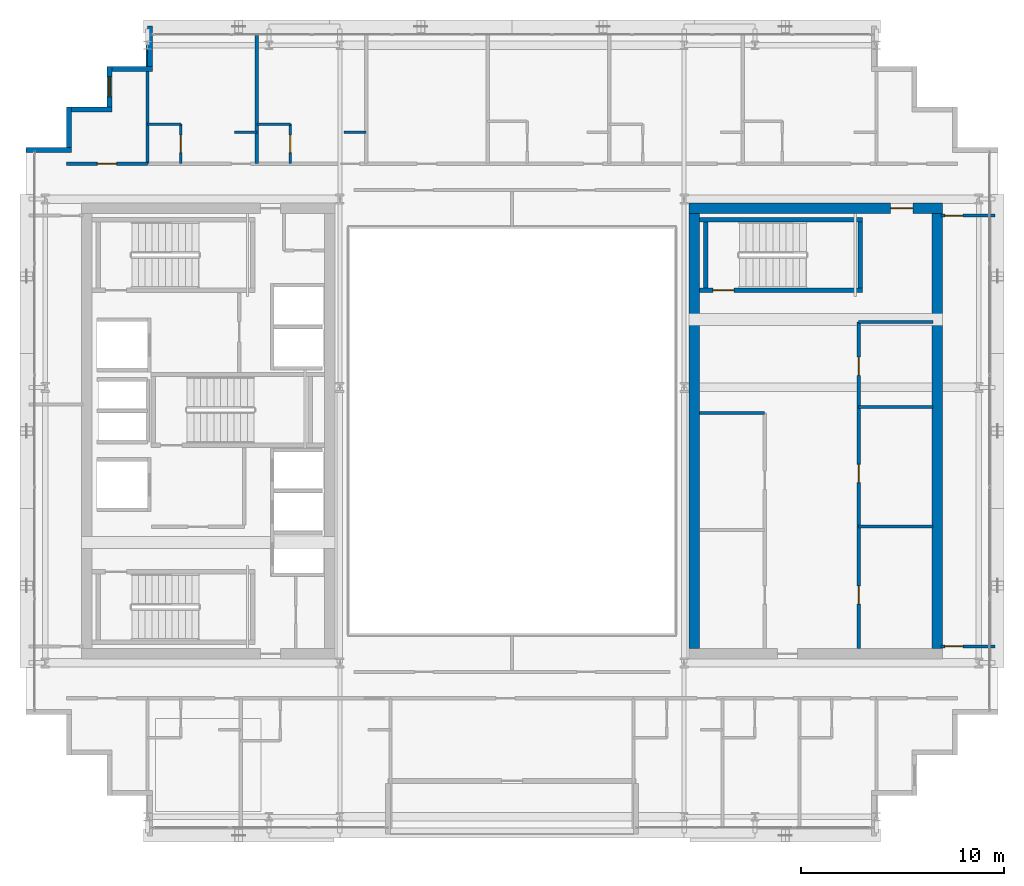
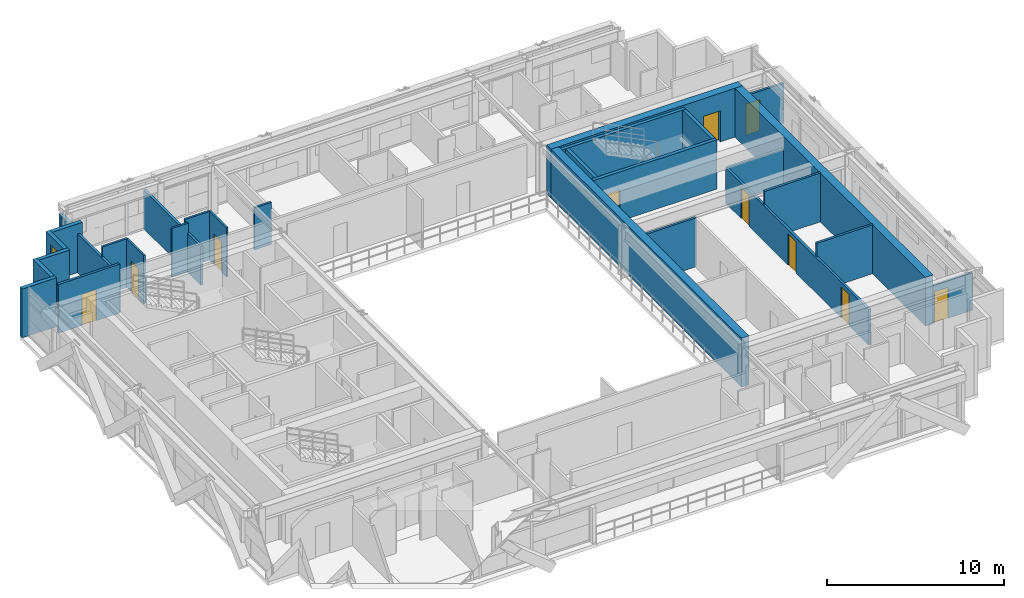
# One storey, part 26 of 31: 29 walls, 10 doors, 1 window, 11 openings.
"""IFC4 building model written with IfcOpenShell, lengths in metres."""

from ifc_helpers import new_model, si_unit, direction, frame, frame_2d, origin, place, context, subcontext, project, spatial, rectangle, extrude, source, transform, mapped, material, layer, layer_set, type_object, element, fill, save


model = new_model("IFC4")

# Units and contexts
model_context = context("Model", 3, precision=1e-05, world=origin(), true_north=direction((0.0, 1.0)))
body_context = subcontext(model_context, "Body", "Model", "MODEL_VIEW")
ifc_project = project(units=[si_unit("LENGTHUNIT", "METRE"), si_unit("AREAUNIT", "SQUARE_METRE"), si_unit("VOLUMEUNIT", "CUBIC_METRE"), si_unit("PLANEANGLEUNIT", "RADIAN"), si_unit("MASSUNIT", "GRAM", prefix="KILO")], contexts=[model_context])

# Site, building, storey
site_placement = place(None, origin())
site = spatial("IfcSite", under=ifc_project, at=site_placement, CompositionType="ELEMENT")
building_placement = place(site_placement, origin())
building = spatial("IfcBuilding", under=site, at=building_placement, Name="Ocotamira Hotel", CompositionType="ELEMENT")
storey_placement = place(building_placement, frame((0.0, 0.0, 210.0)))
storey = spatial("IfcBuildingStorey", under=building, at=storey_placement, Name="L53", CompositionType="ELEMENT", Elevation=210.0)

# Wall, opening, door
ifc_material_1 = material(Name="Concrete C50/60", Category="concrete")
ifc_layer_1 = layer(ifc_material_1, 0.5)
ifc_layer_set_1 = layer_set([ifc_layer_1], Name="Concrete C50/60")
wall_type_1 = type_object("IfcWallType", Name="WL-CORE-500", PredefinedType="SHEAR", material=ifc_layer_set_1)
wall_1_placement = place(storey_placement, frame((40.75, 37.0, 0.0), z_axis=(0.0, 0.0, 1.0), x_axis=(1.0, 0.0, 0.0)))
wall_1 = element("IfcWall", 1, at=wall_1_placement, inside=storey, type_object=wall_type_1, Name="L53 Shear Core Wall ECORE-N", PredefinedType="SHEAR", context=body_context, shape_type="SweptSolid", body=[
    extrude(rectangle(XDim=12.5, YDim=0.5, at=frame_2d((6.25, 0.0))), origin(), (0.0, 0.0, 1.0), 3.3701171875),
])
opening_1_placement = place(wall_1_placement, frame((9.949951171875, 0.0, 0.0)))
opening_1 = element("IfcOpeningElement", 2, at=opening_1_placement, cuts=wall_1, Name="Opening D-FR1", PredefinedType="OPENING", context=body_context, shape_type="SweptSolid", body=[
    extrude(rectangle(XDim=1.10009765625, YDim=2.14990234375, at=frame_2d((0.550048828125, 1.074951171875))), frame((0.0, 0.260009765625, 0.0), z_axis=(0.0, -1.0, 0.0), x_axis=(1.0, 0.0, 0.0)), (0.0, 0.0, 1.0), 0.52001953125),
])
ifc_material_2 = material(Name="Fire-rated acoustic timber-veneer door", Category="wood")
door_type_1 = type_object("IfcDoorType", Name="DR-FIRE-1100", OperationType="NOTDEFINED", PredefinedType="DOOR", material=ifc_material_2)
shared_shape_1 = source(origin(), body_context, "Body", "SweptSolid", [
    extrude(rectangle(XDim=1.10009765625, YDim=2.14990234375, at=frame_2d((0.550048828125, 1.074951171875))), frame((0.0, 0.02490234375, 0.0), z_axis=(0.0, -1.0, 0.0), x_axis=(1.0, 0.0, 0.0)), (0.0, 0.0, 1.0), 0.050048828125),
])
door_1_placement = place(opening_1_placement, origin())
door_1 = element("IfcDoor", 3, at=door_1_placement, inside=storey, type_object=door_type_1, Name="L53 Door ID-L53-ELOB-N-D [ID-L53-ELOB-N-D]", OperationType="SINGLE_SWING_LEFT", OverallHeight=2.14990234375, OverallWidth=1.10009765625, PredefinedType="DOOR", context=body_context, shape_type="MappedRepresentation", body=[
    mapped(shared_shape_1, transform((0.0, 0.0, 0.0), scale=1.0)),
])
fill(opening_1, door_1)

# Walls
for number, where, z_axis, x_axis, name in (
    (4, (41.0, 15.25, 0.0), (0.0, 0.0, 1.0), (0.0, 1.0, 0.0), "L53 Shear Core Wall ECORE-W"),
    (5, (53.0, 15.25, 0.0), (0.0, 0.0, 1.0), (0.0, 1.0, 0.0), "L53 Shear Core Wall ECORE-E"),
):
    element("IfcWall", number, at=place(storey_placement, frame(where, z_axis=z_axis, x_axis=x_axis)), inside=storey, type_object=wall_type_1, Name=name, PredefinedType="SHEAR", context=body_context, shape_type="SweptSolid", body=[
        extrude(rectangle(XDim=21.5, YDim=0.5, at=frame_2d((10.75, 0.0))), origin(), (0.0, 0.0, 1.0), 3.3701171875),
    ])
ifc_material_3 = material(Name="Precast concrete C45/55", Category="concrete")
ifc_layer_2 = layer(ifc_material_3, 0.25)
ifc_layer_set_2 = layer_set([ifc_layer_2], Name="Precast concrete C45/55")
wall_type_2 = type_object("IfcWallType", Name="WL-EXT-SER-250", PredefinedType="SOLIDWALL", material=ifc_layer_set_2)
wall_2_placement = place(storey_placement, frame((14.125, 46.0, 0.0), z_axis=(0.0, 0.0, 1.0), x_axis=(0.0, -1.0, 0.0)))
element("IfcWall", 6, at=wall_2_placement, inside=storey, type_object=wall_type_2, Name="L53 Serrated Corner Wall 13", PredefinedType="SOLIDWALL", context=body_context, shape_type="SweptSolid", body=[
    extrude(rectangle(XDim=2.0, YDim=0.25, at=frame_2d((1.0, 0.0))), origin(), (0.0, 0.0, 1.0), 2.677001953125),
])
wall_3_placement = place(storey_placement, frame((14.25, 43.875, 0.0), z_axis=(0.0, 0.0, 1.0), x_axis=(-1.0, 0.0, 0.0)))
element("IfcWall", 7, at=wall_3_placement, inside=storey, type_object=wall_type_2, Name="L53 Serrated Corner Wall 14", PredefinedType="SOLIDWALL", context=body_context, shape_type="SweptSolid", body=[
    extrude(rectangle(XDim=2.0, YDim=0.25, at=frame_2d((1.0, 0.0))), origin(), (0.0, 0.0, 1.0), 3.3701171875),
])

# Wall, opening, window
wall_4_placement = place(storey_placement, frame((12.125, 44.0, 0.0), z_axis=(0.0, 0.0, 1.0), x_axis=(0.0, -1.0, 0.0)))
wall_4 = element("IfcWall", 8, at=wall_4_placement, inside=storey, type_object=wall_type_2, Name="L53 Serrated Corner Wall 15", PredefinedType="SOLIDWALL", context=body_context, shape_type="SweptSolid", body=[
    extrude(rectangle(XDim=2.0, YDim=0.25, at=frame_2d((1.0, 0.0))), origin(), (0.0, 0.0, 1.0), 3.3701171875),
])
opening_2_placement = place(wall_4_placement, frame((0.5, 0.0, 0.85009765625)))
opening_2 = element("IfcOpeningElement", 9, at=opening_2_placement, cuts=wall_4, Name="Opening WN-2", PredefinedType="OPENING", context=body_context, shape_type="SweptSolid", body=[
    extrude(rectangle(XDim=1.0, YDim=1.89990234375, at=frame_2d((0.5, 0.949951171875))), frame((0.0, 0.135009765625, 0.0), z_axis=(0.0, -1.0, 0.0), x_axis=(1.0, 0.0, 0.0)), (0.0, 0.0, 1.0), 0.27001953125),
])
ifc_material_4 = material(Name="Double-silver low-E solar glass", Category="glass")
window_type = type_object("IfcWindowType", Name="WIN-SER-1100", PartitioningType="SINGLE_PANEL", PredefinedType="WINDOW", material=ifc_material_4)
shared_shape_2 = source(origin(), body_context, "Body", "SweptSolid", [
    extrude(rectangle(XDim=1.0, YDim=1.89990234375, at=frame_2d((0.5, 0.949951171875))), frame((0.0, 0.030029296875, 0.0), z_axis=(0.0, -1.0, 0.0), x_axis=(1.0, 0.0, 0.0)), (0.0, 0.0, 1.0), 0.06005859375),
])
window_placement = place(opening_2_placement, origin())
window = element("IfcWindow", 10, at=window_placement, inside=storey, type_object=window_type, Name="L53 Serrated Corner Window 15", OverallHeight=1.89990234375, OverallWidth=1.0, PartitioningType="SINGLE_PANEL", PredefinedType="WINDOW", context=body_context, shape_type="MappedRepresentation", body=[
    mapped(shared_shape_2, transform((0.0, 0.0, 0.0), scale=1.0)),
])
fill(opening_2, window)

# Walls
for number, where, z_axis, x_axis, name in (
    (11, (12.25, 41.875, 0.0), (0.0, 0.0, 1.0), (-1.0, 0.0, 0.0), "L53 Serrated Corner Wall 16"),
    (12, (10.125, 42.0, 0.0), (0.0, 0.0, 1.0), (0.0, -1.0, 0.0), "L53 Serrated Corner Wall 17"),
):
    element("IfcWall", number, at=place(storey_placement, frame(where, z_axis=z_axis, x_axis=x_axis)), inside=storey, type_object=wall_type_2, Name=name, PredefinedType="SOLIDWALL", context=body_context, shape_type="SweptSolid", body=[
        extrude(rectangle(XDim=2.0, YDim=0.25, at=frame_2d((1.0, 0.0))), origin(), (0.0, 0.0, 1.0), 3.3701171875),
    ])
wall_5_placement = place(storey_placement, frame((10.25, 39.875, 0.0), z_axis=(0.0, 0.0, 1.0), x_axis=(-1.0, 0.0, 0.0)))
element("IfcWall", 13, at=wall_5_placement, inside=storey, type_object=wall_type_2, Name="L53 Serrated Corner Wall 18", PredefinedType="SOLIDWALL", context=body_context, shape_type="SweptSolid", body=[
    extrude(rectangle(XDim=2.25, YDim=0.25, at=frame_2d((1.125, 0.0))), origin(), (0.0, 0.0, 1.0), 3.3701171875),
])
ifc_material_5 = material(Name="Acoustic double-layer fire gypsum board partition", Category="gypsum")
ifc_layer_3 = layer(ifc_material_5, 0.159912109375)
ifc_layer_set_3 = layer_set([ifc_layer_3], Name="Acoustic double-layer fire gypsum board partition")
wall_type_3 = type_object("IfcWallType", Name="WL-FIRE-160", PredefinedType="PARTITIONING", material=ifc_layer_set_3)
wall_6_placement = place(storey_placement, frame((49.1201171875, 31.3798828125, 0.0), z_axis=(0.0, 0.0, 1.0), x_axis=(1.0, 0.0, 0.0)))
element("IfcWall", 14, at=wall_6_placement, inside=storey, type_object=wall_type_3, Name="L53 Interior Wall PW-L53-EC-FLOW-N", PredefinedType="PARTITIONING", context=body_context, shape_type="SweptSolid", body=[
    extrude(rectangle(XDim=3.679931640625, YDim=0.159912109375, at=frame_2d((1.83984375, 0.0))), origin(), (0.0, 0.0, 1.0), 2.469970703125),
])

# Wall, openings, doors
wall_7_placement = place(storey_placement, frame((49.1201171875, 15.25, 0.0), z_axis=(0.0, 0.0, 1.0), x_axis=(0.0, 1.0, 0.0)))
wall_7 = element("IfcWall", 15, at=wall_7_placement, inside=storey, type_object=wall_type_3, Name="L53 Interior Wall PW-L53-EC-FLOW-W", PredefinedType="PARTITIONING", context=body_context, shape_type="SweptSolid", body=[
    extrude(rectangle(XDim=16.1298828125, YDim=0.159912109375, at=frame_2d((8.06494140625, 0.0))), origin(), (0.0, 0.0, 1.0), 2.443115234375),
])
opening_3_placement = place(wall_7_placement, frame((2.199951171875, 0.0, 0.0)))
opening_3 = element("IfcOpeningElement", 16, at=opening_3_placement, cuts=wall_7, Name="Opening D-IN3", PredefinedType="OPENING", context=body_context, shape_type="SweptSolid", body=[
    extrude(rectangle(XDim=0.89990234375, YDim=2.14990234375, at=frame_2d((0.449951171875, 1.074951171875))), frame((0.0, 0.08984375, 0.0), z_axis=(0.0, -1.0, 0.0), x_axis=(1.0, 0.0, 0.0)), (0.0, 0.0, 1.0), 0.179931640625),
])
opening_4_placement = place(wall_7_placement, frame((8.199951171875, 0.0, 0.0)))
opening_4 = element("IfcOpeningElement", 17, at=opening_4_placement, cuts=wall_7, Name="Opening D-IN3", PredefinedType="OPENING", context=body_context, shape_type="SweptSolid", body=[
    extrude(rectangle(XDim=0.89990234375, YDim=2.14990234375, at=frame_2d((0.449951171875, 1.074951171875))), frame((0.0, 0.08984375, 0.0), z_axis=(0.0, -1.0, 0.0), x_axis=(1.0, 0.0, 0.0)), (0.0, 0.0, 1.0), 0.179931640625),
])
opening_5_placement = place(wall_7_placement, frame((13.5, 0.0, 0.0)))
opening_5 = element("IfcOpeningElement", 18, at=opening_5_placement, cuts=wall_7, Name="Opening D-IN3", PredefinedType="OPENING", context=body_context, shape_type="SweptSolid", body=[
    extrude(rectangle(XDim=0.89990234375, YDim=2.14990234375, at=frame_2d((0.449951171875, 1.074951171875))), frame((0.0, 0.08984375, 0.0), z_axis=(0.0, -1.0, 0.0), x_axis=(1.0, 0.0, 0.0)), (0.0, 0.0, 1.0), 0.179931640625),
])
ifc_material_6 = material(Name="Painted service room door", Category="steel")
door_type_2 = type_object("IfcDoorType", Name="DR-INT-900", OperationType="NOTDEFINED", PredefinedType="DOOR", material=ifc_material_6)
shared_shape_3 = source(origin(), body_context, "Body", "SweptSolid", [
    extrude(rectangle(XDim=0.89990234375, YDim=2.14990234375, at=frame_2d((0.449951171875, 1.074951171875))), frame((0.0, 0.02490234375, 0.0), z_axis=(0.0, -1.0, 0.0), x_axis=(1.0, 0.0, 0.0)), (0.0, 0.0, 1.0), 0.050048828125),
])
door_2_placement = place(opening_3_placement, origin())
door_2 = element("IfcDoor", 19, at=door_2_placement, inside=storey, type_object=door_type_2, Name="L53 Door ID-L53-EC-FLOW-D1 [ID-L53-EC-FLOW-D1]", OperationType="SINGLE_SWING_LEFT", OverallHeight=2.14990234375, OverallWidth=0.89990234375, PredefinedType="DOOR", context=body_context, shape_type="MappedRepresentation", body=[
    mapped(shared_shape_3, transform((0.0, 0.0, 0.0), scale=1.0)),
])
fill(opening_3, door_2)
door_3_placement = place(opening_4_placement, origin())
door_3 = element("IfcDoor", 20, at=door_3_placement, inside=storey, type_object=door_type_2, Name="L53 Door ID-L53-EC-FLOW-D2 [ID-L53-EC-FLOW-D2]", OperationType="SINGLE_SWING_RIGHT", OverallHeight=2.14990234375, OverallWidth=0.89990234375, PredefinedType="DOOR", context=body_context, shape_type="MappedRepresentation", body=[
    mapped(shared_shape_3, transform((0.0, 0.0, 0.0), scale=1.0)),
])
fill(opening_4, door_3)
door_4_placement = place(opening_5_placement, origin())
door_4 = element("IfcDoor", 21, at=door_4_placement, inside=storey, type_object=door_type_2, Name="L53 Door ID-L53-EC-FLOW-D3 [ID-L53-EC-FLOW-D3]", OperationType="SINGLE_SWING_LEFT", OverallHeight=2.14990234375, OverallWidth=0.89990234375, PredefinedType="DOOR", context=body_context, shape_type="MappedRepresentation", body=[
    mapped(shared_shape_3, transform((0.0, 0.0, 0.0), scale=1.0)),
])
fill(opening_5, door_4)

# Wall, opening, door
wall_8_placement = place(storey_placement, frame((10.0, 39.199951171875, 0.0), z_axis=(0.0, 0.0, 1.0), x_axis=(1.0, 0.0, 0.0)))
wall_8 = element("IfcWall", 22, at=wall_8_placement, inside=storey, type_object=wall_type_3, Name="L53 Interior Wall PW-L53-Z3E-CNW-CW", PredefinedType="PARTITIONING", context=body_context, shape_type="SweptSolid", body=[
    extrude(rectangle(XDim=4.0, YDim=0.159912109375, at=frame_2d((2.0, 0.0))), origin(), (0.0, 0.0, 1.0), 3.3701171875),
])
opening_6_placement = place(wall_8_placement, frame((1.52001953125, 0.0, 0.0)))
opening_6 = element("IfcOpeningElement", 23, at=opening_6_placement, cuts=wall_8, Name="Opening D-SV4", PredefinedType="OPENING", context=body_context, shape_type="SweptSolid", body=[
    extrude(rectangle(XDim=0.9599609375, YDim=2.14990234375, at=frame_2d((0.47998046875, 1.074951171875))), frame((0.0, 0.08984375, 0.0), z_axis=(0.0, -1.0, 0.0), x_axis=(1.0, 0.0, 0.0)), (0.0, 0.0, 1.0), 0.179931640625),
])
ifc_material_7 = material(Name="Fire-rated accessible walnut salon door", Category="wood")
door_type_3 = type_object("IfcDoorType", Name="DR-SERV-960", OperationType="NOTDEFINED", PredefinedType="DOOR", material=ifc_material_7)
shared_shape_4 = source(origin(), body_context, "Body", "SweptSolid", [
    extrude(rectangle(XDim=0.9599609375, YDim=2.14990234375, at=frame_2d((0.47998046875, 1.074951171875))), frame((0.0, 0.02490234375, 0.0), z_axis=(0.0, -1.0, 0.0), x_axis=(1.0, 0.0, 0.0)), (0.0, 0.0, 1.0), 0.050048828125),
])
door_5_placement = place(opening_6_placement, origin())
door_5 = element("IfcDoor", 24, at=door_5_placement, inside=storey, type_object=door_type_3, Name="L53 Door ID-L53-Z3E-CNW-CD [ID-L53-Z3E-CNW-CD]", OperationType="SINGLE_SWING_LEFT", OverallHeight=2.14990234375, OverallWidth=0.9599609375, PredefinedType="DOOR", context=body_context, shape_type="MappedRepresentation", body=[
    mapped(shared_shape_4, transform((0.0, 0.0, 0.0), scale=1.0)),
])
fill(opening_6, door_5)

ifc_material_8 = material(Name="Moisture-resistant en-suite tile and gypsum partition", Category="gypsum")
ifc_layer_4 = layer(ifc_material_8, 0.1201171875)
ifc_layer_set_4 = layer_set([ifc_layer_4], Name="Moisture-resistant en-suite tile and gypsum partition")
wall_type_4 = type_object("IfcWallType", Name="WL-PART-120", PredefinedType="PARTITIONING", material=ifc_layer_set_4)
wall_9_placement = place(storey_placement, frame((15.64990234375, 39.199951171875, 0.0), z_axis=(0.0, 0.0, 1.0), x_axis=(0.0, 1.0, 0.0)))
wall_9 = element("IfcWall", 25, at=wall_9_placement, inside=storey, type_object=wall_type_4, Name="L53 Interior Wall PW-L53-Z3EN-BAE1", PredefinedType="PARTITIONING", context=body_context, shape_type="SweptSolid", body=[
    extrude(rectangle(XDim=1.949951171875, YDim=0.1201171875, at=frame_2d((0.97509765625, 0.0))), origin(), (0.0, 0.0, 1.0), 3.3701171875),
])
opening_7_placement = place(wall_9_placement, frame((0.544921875, 0.0, 0.0)))
opening_7 = element("IfcOpeningElement", 26, at=opening_7_placement, cuts=wall_9, Name="Opening D-BA1", PredefinedType="OPENING", context=body_context, shape_type="SweptSolid", body=[
    extrude(rectangle(XDim=0.860107421875, YDim=2.10009765625, at=frame_2d((0.43017578125, 1.050048828125))), frame((0.0, 0.070068359375, 0.0), z_axis=(0.0, -1.0, 0.0), x_axis=(1.0, 0.0, 0.0)), (0.0, 0.0, 1.0), 0.14013671875),
])
ifc_material_9 = material(Name="Moisture-sealed en-suite timber door", Category="wood")
door_type_4 = type_object("IfcDoorType", Name="DR-BATH-860", OperationType="NOTDEFINED", PredefinedType="DOOR", material=ifc_material_9)
shared_shape_5 = source(origin(), body_context, "Body", "SweptSolid", [
    extrude(rectangle(XDim=0.860107421875, YDim=2.10009765625, at=frame_2d((0.43017578125, 1.050048828125))), frame((0.0, 0.02490234375, 0.0), z_axis=(0.0, -1.0, 0.0), x_axis=(1.0, 0.0, 0.0)), (0.0, 0.0, 1.0), 0.050048828125),
])
door_6_placement = place(opening_7_placement, origin())
door_6 = element("IfcDoor", 27, at=door_6_placement, inside=storey, type_object=door_type_4, Name="L53 Door ID-L53-Z3EN-BAD1 [ID-L53-Z3EN-BAD1]", OperationType="SINGLE_SWING_RIGHT", OverallHeight=2.10009765625, OverallWidth=0.860107421875, PredefinedType="DOOR", context=body_context, shape_type="MappedRepresentation", body=[
    mapped(shared_shape_5, transform((0.0, 0.0, 0.0), scale=1.0)),
])
fill(opening_7, door_6)

# Walls
wall_10_placement = place(storey_placement, frame((14.0, 41.14990234375, 0.0), z_axis=(0.0, 0.0, 1.0), x_axis=(1.0, 0.0, 0.0)))
element("IfcWall", 28, at=wall_10_placement, inside=storey, type_object=wall_type_4, Name="L53 Interior Wall PW-L53-Z3EN-BAN1", PredefinedType="PARTITIONING", context=body_context, shape_type="SweptSolid", body=[
    extrude(rectangle(XDim=1.64990234375, YDim=0.1201171875, at=frame_2d((0.824951171875, 0.0))), origin(), (0.0, 0.0, 1.0), 3.3701171875),
])
wall_11_placement = place(storey_placement, frame((18.300048828125, 40.75, 0.0), z_axis=(0.0, 0.0, 1.0), x_axis=(1.0, 0.0, 0.0)))
element("IfcWall", 29, at=wall_11_placement, inside=storey, type_object=wall_type_4, Name="L53 Interior Wall PW-L53-Z3EN-DRN1", PredefinedType="PARTITIONING", context=body_context, shape_type="SweptSolid", body=[
    extrude(rectangle(XDim=1.099853515625, YDim=0.1201171875, at=frame_2d((0.5498046875, 0.0))), origin(), (0.0, 0.0, 1.0), 3.3701171875),
])

# Wall, opening, door
wall_12_placement = place(storey_placement, frame((21.050048828125, 39.199951171875, 0.0), z_axis=(0.0, 0.0, 1.0), x_axis=(0.0, 1.0, 0.0)))
wall_12 = element("IfcWall", 30, at=wall_12_placement, inside=storey, type_object=wall_type_4, Name="L53 Interior Wall PW-L53-Z3EN-BAE2", PredefinedType="PARTITIONING", context=body_context, shape_type="SweptSolid", body=[
    extrude(rectangle(XDim=1.949951171875, YDim=0.1201171875, at=frame_2d((0.97509765625, 0.0))), origin(), (0.0, 0.0, 1.0), 3.3701171875),
])
opening_8_placement = place(wall_12_placement, frame((0.544921875, 0.0, 0.0)))
opening_8 = element("IfcOpeningElement", 31, at=opening_8_placement, cuts=wall_12, Name="Opening D-BA1", PredefinedType="OPENING", context=body_context, shape_type="SweptSolid", body=[
    extrude(rectangle(XDim=0.860107421875, YDim=2.10009765625, at=frame_2d((0.43017578125, 1.050048828125))), frame((0.0, 0.070068359375, 0.0), z_axis=(0.0, -1.0, 0.0), x_axis=(1.0, 0.0, 0.0)), (0.0, 0.0, 1.0), 0.14013671875),
])
door_7_placement = place(opening_8_placement, origin())
door_7 = element("IfcDoor", 32, at=door_7_placement, inside=storey, type_object=door_type_4, Name="L53 Door ID-L53-Z3EN-BAD2 [ID-L53-Z3EN-BAD2]", OperationType="SINGLE_SWING_LEFT", OverallHeight=2.10009765625, OverallWidth=0.860107421875, PredefinedType="DOOR", context=body_context, shape_type="MappedRepresentation", body=[
    mapped(shared_shape_5, transform((0.0, 0.0, 0.0), scale=1.0)),
])
fill(opening_8, door_7)

# Walls
wall_13_placement = place(storey_placement, frame((19.39990234375, 41.14990234375, 0.0), z_axis=(0.0, 0.0, 1.0), x_axis=(1.0, 0.0, 0.0)))
element("IfcWall", 33, at=wall_13_placement, inside=storey, type_object=wall_type_4, Name="L53 Interior Wall PW-L53-Z3EN-BAN2", PredefinedType="PARTITIONING", context=body_context, shape_type="SweptSolid", body=[
    extrude(rectangle(XDim=1.650146484375, YDim=0.1201171875, at=frame_2d((0.8251953125, 0.0))), origin(), (0.0, 0.0, 1.0), 3.3701171875),
])
wall_14_placement = place(storey_placement, frame((23.699951171875, 40.75, 0.0), z_axis=(0.0, 0.0, 1.0), x_axis=(1.0, 0.0, 0.0)))
element("IfcWall", 34, at=wall_14_placement, inside=storey, type_object=wall_type_4, Name="L53 Interior Wall PW-L53-Z3EN-DRN2", PredefinedType="PARTITIONING", context=body_context, shape_type="SweptSolid", body=[
    extrude(rectangle(XDim=1.10009765625, YDim=0.1201171875, at=frame_2d((0.550048828125, 0.0))), origin(), (0.0, 0.0, 1.0), 2.9130859375),
])
ifc_material_10 = material(Name="Acoustic hospitality gypsum board partition", Category="gypsum")
ifc_layer_5 = layer(ifc_material_10, 0.14990234375)
ifc_layer_set_5 = layer_set([ifc_layer_5], Name="Acoustic hospitality gypsum board partition")
wall_type_5 = type_object("IfcWallType", Name="WL-PART-150", PredefinedType="PARTITIONING", material=ifc_layer_set_5)
for number, where, z_axis, x_axis, name in (
    (35, (49.1201171875, 21.2900390625, 0.0), (0.0, 0.0, 1.0), (1.0, 0.0, 0.0), "L53 Interior Wall PW-L53-EC-FDIV1"),
    (36, (49.1201171875, 27.18994140625, 0.0), (0.0, 0.0, 1.0), (1.0, 0.0, 0.0), "L53 Interior Wall PW-L53-EC-FDIV2"),
):
    element("IfcWall", number, at=place(storey_placement, frame(where, z_axis=z_axis, x_axis=x_axis)), inside=storey, type_object=wall_type_5, Name=name, PredefinedType="PARTITIONING", context=body_context, shape_type="SweptSolid", body=[
        extrude(rectangle(XDim=3.679931640625, YDim=0.14990234375, at=frame_2d((1.83984375, 0.0))), origin(), (0.0, 0.0, 1.0), 3.3701171875),
    ])
wall_15_placement = place(storey_placement, frame((41.25, 26.8798828125, 0.0), z_axis=(0.0, 0.0, 1.0), x_axis=(1.0, 0.0, 0.0)))
element("IfcWall", 37, at=wall_15_placement, inside=storey, type_object=wall_type_5, Name="L53 Interior Wall PW-L53-EC-FMID-N", PredefinedType="PARTITIONING", context=body_context, shape_type="SweptSolid", body=[
    extrude(rectangle(XDim=3.22998046875, YDim=0.14990234375, at=frame_2d((1.614990234375, 0.0))), origin(), (0.0, 0.0, 1.0), 3.3701171875),
])

# Wall, opening, door
wall_16_placement = place(storey_placement, frame((53.179931640625, 15.360107421875, 0.0), z_axis=(0.0, 0.0, 1.0), x_axis=(1.0, 0.0, 0.0)))
wall_16 = element("IfcWall", 38, at=wall_16_placement, inside=storey, type_object=wall_type_5, Name="L53 Interior Wall PW-L53-Z3E-EF-WS", PredefinedType="PARTITIONING", context=body_context, shape_type="SweptSolid", body=[
    extrude(rectangle(XDim=2.66015625, YDim=0.14990234375, at=frame_2d((1.330078125, 0.0))), origin(), (0.0, 0.0, 1.0), 2.591064453125),
])
opening_9_placement = place(wall_16_placement, frame((0.199951171875, 0.0, 0.0)))
opening_9 = element("IfcOpeningElement", 39, at=opening_9_placement, cuts=wall_16, Name="Opening D-SV2", PredefinedType="OPENING", context=body_context, shape_type="SweptSolid", body=[
    extrude(rectangle(XDim=0.8798828125, YDim=2.14990234375, at=frame_2d((0.43994140625, 1.074951171875))), frame((0.0, 0.0849609375, 0.0), z_axis=(0.0, -1.0, 0.0), x_axis=(1.0, 0.0, 0.0)), (0.0, 0.0, 1.0), 0.169921875),
])
ifc_material_11 = material(Name="Fire-rated painted steel service door", Category="steel")
door_type_5 = type_object("IfcDoorType", Name="DR-SERV-880", OperationType="NOTDEFINED", PredefinedType="DOOR", material=ifc_material_11)
shared_shape_6 = source(origin(), body_context, "Body", "SweptSolid", [
    extrude(rectangle(XDim=0.8798828125, YDim=2.14990234375, at=frame_2d((0.43994140625, 1.074951171875))), frame((0.0, 0.02490234375, 0.0), z_axis=(0.0, -1.0, 0.0), x_axis=(1.0, 0.0, 0.0)), (0.0, 0.0, 1.0), 0.050048828125),
])
door_8_placement = place(opening_9_placement, origin())
door_8 = element("IfcDoor", 40, at=door_8_placement, inside=storey, type_object=door_type_5, Name="L53 Door ID-L53-Z3E-EF-DS [ID-L53-Z3E-EF-DS]", OperationType="SINGLE_SWING_RIGHT", OverallHeight=2.14990234375, OverallWidth=0.8798828125, PredefinedType="DOOR", context=body_context, shape_type="MappedRepresentation", body=[
    mapped(shared_shape_6, transform((0.0, 0.0, 0.0), scale=1.0)),
])
fill(opening_9, door_8)

wall_17_placement = place(storey_placement, frame((53.179931640625, 36.639892578125, 0.0), z_axis=(0.0, 0.0, 1.0), x_axis=(1.0, 0.0, 0.0)))
wall_17 = element("IfcWall", 41, at=wall_17_placement, inside=storey, type_object=wall_type_5, Name="L53 Interior Wall PW-L53-Z3E-EF-WN", PredefinedType="PARTITIONING", context=body_context, shape_type="SweptSolid", body=[
    extrude(rectangle(XDim=2.66015625, YDim=0.14990234375, at=frame_2d((1.330078125, 0.0))), origin(), (0.0, 0.0, 1.0), 2.7529296875),
])
opening_10_placement = place(wall_17_placement, frame((0.199951171875, 0.0, 0.0)))
opening_10 = element("IfcOpeningElement", 42, at=opening_10_placement, cuts=wall_17, Name="Opening D-SV2", PredefinedType="OPENING", context=body_context, shape_type="SweptSolid", body=[
    extrude(rectangle(XDim=0.8798828125, YDim=2.14990234375, at=frame_2d((0.43994140625, 1.074951171875))), frame((0.0, 0.0849609375, 0.0), z_axis=(0.0, -1.0, 0.0), x_axis=(1.0, 0.0, 0.0)), (0.0, 0.0, 1.0), 0.169921875),
])
door_9_placement = place(opening_10_placement, origin())
door_9 = element("IfcDoor", 43, at=door_9_placement, inside=storey, type_object=door_type_5, Name="L53 Door ID-L53-Z3E-EF-DN [ID-L53-Z3E-EF-DN]", OperationType="SINGLE_SWING_LEFT", OverallHeight=2.14990234375, OverallWidth=0.8798828125, PredefinedType="DOOR", context=body_context, shape_type="MappedRepresentation", body=[
    mapped(shared_shape_6, transform((0.0, 0.0, 0.0), scale=1.0)),
])
fill(opening_10, door_9)

# Walls
ifc_material_12 = material(Name="Acoustic double-stud hospitality gypsum partition", Category="gypsum")
ifc_layer_6 = layer(ifc_material_12, 0.159912109375)
ifc_layer_set_6 = layer_set([ifc_layer_6], Name="Acoustic double-stud hospitality gypsum partition")
wall_type_6 = type_object("IfcWallType", Name="WL-PART-160", PredefinedType="PARTITIONING", material=ifc_layer_set_6)
for number, where, z_axis, x_axis, name in (
    (44, (14.0, 39.199951171875, 0.0), (0.0, 0.0, 1.0), (0.0, 1.0, 0.0), "L53 Interior Wall PW-L53-Z3EN-PW0"),
    (45, (19.39990234375, 39.199951171875, 0.0), (0.0, 0.0, 1.0), (0.0, 1.0, 0.0), "L53 Interior Wall PW-L53-Z3EN-PW1"),
):
    element("IfcWall", number, at=place(storey_placement, frame(where, z_axis=z_axis, x_axis=x_axis)), inside=storey, type_object=wall_type_6, Name=name, PredefinedType="PARTITIONING", context=body_context, shape_type="SweptSolid", body=[
        extrude(rectangle(XDim=6.43994140625, YDim=0.159912109375, at=frame_2d((3.219970703125, 0.0))), origin(), (0.0, 0.0, 1.0), 2.677001953125),
    ])

# Wall, opening, door
ifc_layer_7 = layer(ifc_material_1, 0.219970703125)
ifc_layer_set_7 = layer_set([ifc_layer_7], Name="Concrete C50/60")
wall_type_7 = type_object("IfcWallType", Name="WL-STAIR-220", PredefinedType="SHEAR", material=ifc_layer_set_7)
wall_18_placement = place(storey_placement, frame((41.25, 32.93994140625, 0.0), z_axis=(0.0, 0.0, 1.0), x_axis=(1.0, 0.0, 0.0)))
wall_18 = element("IfcWall", 46, at=wall_18_placement, inside=storey, type_object=wall_type_7, Name="L53 Stair Shaft Structural Wall ST-4-S", PredefinedType="SHEAR", context=body_context, shape_type="SweptSolid", body=[
    extrude(rectangle(XDim=8.06005859375, YDim=0.219970703125, at=frame_2d((4.030029296875, 0.0))), origin(), (0.0, 0.0, 1.0), 3.39990234375),
])
opening_11_placement = place(wall_18_placement, frame((0.669921875, 0.0, 0.0)))
opening_11 = element("IfcOpeningElement", 47, at=opening_11_placement, cuts=wall_18, Name="Opening D-ST2", PredefinedType="OPENING", context=body_context, shape_type="SweptSolid", body=[
    extrude(rectangle(XDim=1.050048828125, YDim=2.14990234375, at=frame_2d((0.52490234375, 1.074951171875))), frame((0.0, 0.1201171875, 0.0), z_axis=(0.0, -1.0, 0.0), x_axis=(1.0, 0.0, 0.0)), (0.0, 0.0, 1.0), 0.239990234375),
])
ifc_material_13 = material(Name="Insulated painted hollow-metal fire exit door", Category="steel")
door_type_6 = type_object("IfcDoorType", Name="DR-STAIR-1050", OperationType="NOTDEFINED", PredefinedType="DOOR", material=ifc_material_13)
shared_shape_7 = source(origin(), body_context, "Body", "SweptSolid", [
    extrude(rectangle(XDim=1.050048828125, YDim=2.14990234375, at=frame_2d((0.52490234375, 1.074951171875))), frame((0.0, 0.02490234375, 0.0), z_axis=(0.0, -1.0, 0.0), x_axis=(1.0, 0.0, 0.0)), (0.0, 0.0, 1.0), 0.050048828125),
])
door_10_placement = place(opening_11_placement, origin())
door_10 = element("IfcDoor", 48, at=door_10_placement, inside=storey, type_object=door_type_6, Name="L53 Door ID-L53-STD-ST-4 [ID-L53-STD-ST-4]", OperationType="SINGLE_SWING_LEFT", OverallHeight=2.14990234375, OverallWidth=1.050048828125, PredefinedType="DOOR", context=body_context, shape_type="MappedRepresentation", body=[
    mapped(shared_shape_7, transform((0.0, 0.0, 0.0), scale=1.0)),
])
fill(opening_11, door_10)

# Walls
wall_19_placement = place(storey_placement, frame((41.25, 36.43994140625, 0.0), z_axis=(0.0, 0.0, 1.0), x_axis=(1.0, 0.0, 0.0)))
element("IfcWall", 49, at=wall_19_placement, inside=storey, type_object=wall_type_7, Name="L53 Stair Shaft Structural Wall ST-4-N", PredefinedType="SHEAR", context=body_context, shape_type="SweptSolid", body=[
    extrude(rectangle(XDim=8.06005859375, YDim=0.219970703125, at=frame_2d((4.030029296875, 0.0))), origin(), (0.0, 0.0, 1.0), 3.39990234375),
])
for number, where, z_axis, x_axis, name in (
    (50, (41.56005859375, 33.050048828125, 0.0), (0.0, 0.0, 1.0), (0.0, 1.0, 0.0), "L53 Stair Shaft Structural Wall ST-4-W"),
    (51, (49.199951171875, 33.050048828125, 0.0), (0.0, 0.0, 1.0), (0.0, 1.0, 0.0), "L53 Stair Shaft Structural Wall ST-4-E"),
):
    element("IfcWall", number, at=place(storey_placement, frame(where, z_axis=z_axis, x_axis=x_axis)), inside=storey, type_object=wall_type_7, Name=name, PredefinedType="SHEAR", context=body_context, shape_type="SweptSolid", body=[
        extrude(rectangle(XDim=3.280029296875, YDim=0.219970703125, at=frame_2d((1.64013671875, 0.0))), origin(), (0.0, 0.0, 1.0), 3.39990234375),
    ])

save(model, "model.ifc")
